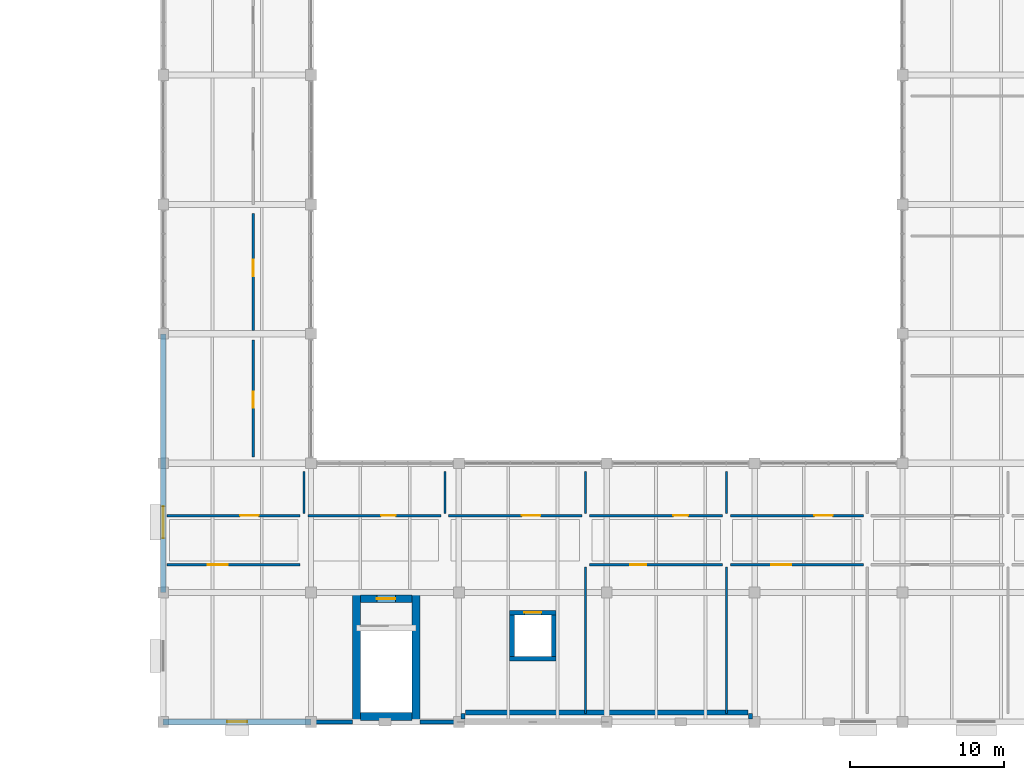
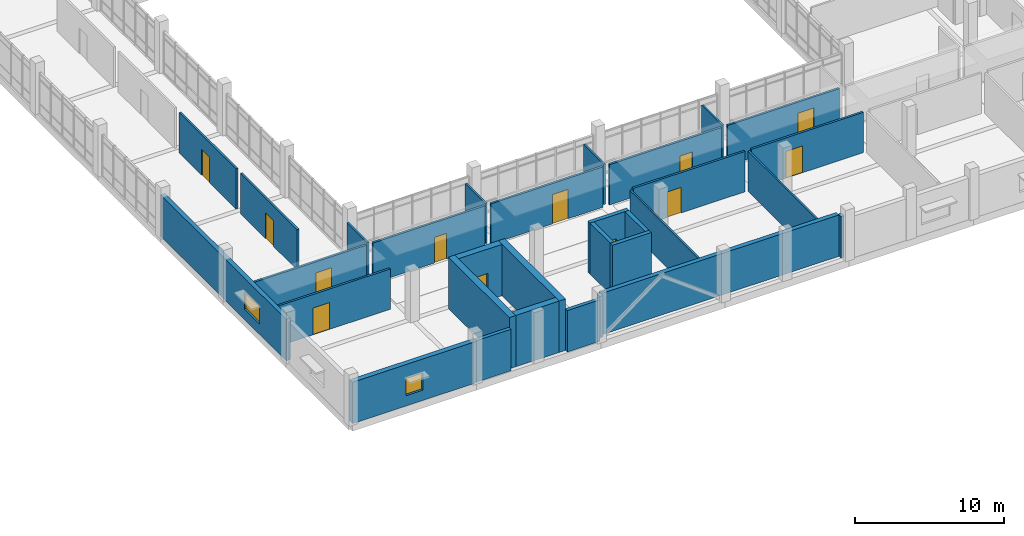
# One storey, part 40 of 57: 31 walls, 12 doors, 2 windows, 14 openings.
"""IFC4 building model written with IfcOpenShell, lengths in metres."""

import ifcopenshell
import ifcopenshell.guid

model = None  # the IFC model being written
_history = None  # IfcOwnerHistory: only IFC2X3 demands one
_inside = {}  # id of a spatial element -> (the spatial element, [elements in it])
_under = {}  # id of a project, library or spatial element -> (it, [spatial elements below it])
_declared = {}  # id of a project -> (the project, [libraries it declares])
_typed = {}  # id of a type object -> (the type object, [elements of that type])
_made_of = {}  # id of a material, layer set ... -> (it, [elements and type objects made of it])


def new_model(schema):
    """Start an empty IFC model of exactly this schema.

    Asked for "IFC4X3", IfcOpenShell would pick the latest addendum, in which some entities
    have other attributes; the version numbers below select the first issue.
    IFC2X3 requires an IfcOwnerHistory on every rooted entity: one is made here for all.
    """
    global model, _history
    if schema == "IFC4X3":
        model = ifcopenshell.file(schema_version=(4, 3, 0, 0))
    else:
        model = ifcopenshell.file(schema=schema)
    _inside.clear()
    _under.clear()
    _declared.clear()
    _typed.clear()
    _made_of.clear()
    _history = None
    if model.schema == "IFC2X3":
        org = make("IfcOrganization", Name="unknown")
        user = make(
            "IfcPersonAndOrganization",
            ThePerson=make("IfcPerson", FamilyName="unknown"),
            TheOrganization=org,
        )
        app = make(
            "IfcApplication",
            ApplicationDeveloper=org,
            Version="unknown",
            ApplicationFullName="unknown",
            ApplicationIdentifier="unknown",
        )
        _history = make(
            "IfcOwnerHistory",
            OwningUser=user,
            OwningApplication=app,
            ChangeAction="ADDED",
            CreationDate=0,
        )
    return model


def make(cls, **values):
    """One entity of the class cls with the attributes given. An attribute that is None is left unset."""
    return model.create_entity(
        cls, **{name: value for name, value in values.items() if value is not None}
    )


def rooted(cls, **values):
    """An entity with a GlobalId (a new one), such as an element, a storey or a relation."""
    return make(cls, GlobalId=ifcopenshell.guid.new(), OwnerHistory=_history, **values)


def si_unit(unit_type, name, prefix=None):
    """IfcSIUnit, for example si_unit("LENGTHUNIT", "METRE", prefix="MILLI")."""
    return make("IfcSIUnit", UnitType=unit_type, Prefix=prefix, Name=name)


def assignment(units):
    """IfcUnitAssignment: the units of a project."""
    return None if units is None else make("IfcUnitAssignment", Units=units)


def point(xyz):
    """IfcCartesianPoint."""
    return None if xyz is None else make("IfcCartesianPoint", Coordinates=xyz)


def direction(xyz):
    """IfcDirection."""
    return None if xyz is None else make("IfcDirection", DirectionRatios=xyz)


def frame(location, z_axis=None, x_axis=None):
    """IfcAxis2Placement3D, a coordinate frame: its origin and axes. An axis left out is left unset."""
    return make(
        "IfcAxis2Placement3D",
        Location=point(location),
        Axis=direction(z_axis),
        RefDirection=direction(x_axis),
    )


def frame_2d(location, x_axis=None):
    """IfcAxis2Placement2D, a coordinate frame in the plane: its origin and x axis."""
    return make(
        "IfcAxis2Placement2D", Location=point(location), RefDirection=direction(x_axis)
    )


def origin():
    """The frame at (0, 0, 0) with its axes left unset."""
    return frame((0.0, 0.0, 0.0))


def place(relative_to, where):
    """IfcLocalPlacement: puts the frame where relative to a parent placement (None: the world)."""
    return make(
        "IfcLocalPlacement", PlacementRelTo=relative_to, RelativePlacement=where
    )


def context(
    kind, dimensions, precision=None, world=None, true_north=None, identifier=None
):
    """IfcGeometricRepresentationContext, for example the 3D "Model" context."""
    return make(
        "IfcGeometricRepresentationContext",
        ContextIdentifier=identifier,
        ContextType=kind,
        CoordinateSpaceDimension=dimensions,
        Precision=precision,
        WorldCoordinateSystem=world,
        TrueNorth=true_north,
    )


def subcontext(parent, identifier, kind, view, scale=None):
    """IfcGeometricRepresentationSubContext, for example "Body" below "Model"."""
    return make(
        "IfcGeometricRepresentationSubContext",
        ContextIdentifier=identifier,
        ContextType=kind,
        ParentContext=parent,
        TargetScale=scale,
        TargetView=view,
    )


def project(units=None, contexts=None):
    """IfcProject with its units and contexts."""
    return rooted(
        "IfcProject",
        Name="project",
        RepresentationContexts=contexts,
        UnitsInContext=assignment(units),
    )


def spatial(cls, under=None, at=None, **own):
    """A site, building, storey or space (cls), placed at a placement, below another one or the project."""
    s = rooted(cls, ObjectPlacement=at, **own)
    if under is not None:
        _under.setdefault(under.id(), (under, []))[1].append(s)
    return s


def profile(cls, at=None, kind="AREA", **sizes):
    """A parametric profile (cls). Its sizes go by their IFC names, for example OverallWidth=200.0."""
    return make(cls, ProfileType=kind, Position=at, **sizes)


def rectangle(**sizes):
    """IfcRectangleProfileDef."""
    return profile("IfcRectangleProfileDef", **sizes)


def extrude(swept, where, along, depth):
    """IfcExtrudedAreaSolid: the profile swept, set in the frame where, extruded along a direction by depth."""
    return make(
        "IfcExtrudedAreaSolid",
        SweptArea=swept,
        Position=where,
        ExtrudedDirection=direction(along),
        Depth=depth,
    )


def shape(context_of_items, identifier, shape_type, items):
    """IfcShapeRepresentation: the items that make up one representation, for example the "Body"."""
    return make(
        "IfcShapeRepresentation",
        ContextOfItems=context_of_items,
        RepresentationIdentifier=identifier,
        RepresentationType=shape_type,
        Items=items,
    )


def material(Name=None, Category=None):
    """IfcMaterial."""
    return make("IfcMaterial", Name=Name, Category=Category)


def layer(
    of_material, thickness, ventilated=None, Name=None, Category=None, Priority=None
):
    """IfcMaterialLayer: one layer of a wall or slab, of a material (None: an air gap)."""
    return make(
        "IfcMaterialLayer",
        Material=of_material,
        LayerThickness=thickness,
        IsVentilated=ventilated,
        Name=Name,
        Category=Category,
        Priority=Priority,
    )


def layer_set(layers, Name=None):
    """IfcMaterialLayerSet."""
    return make("IfcMaterialLayerSet", MaterialLayers=layers, LayerSetName=Name)


def made_of(thing, what):
    """Note that an element or type object is made of a material, layer set ...; save() writes the relation."""
    if what is not None:
        _made_of.setdefault(what.id(), (what, []))[1].append(thing)
    return thing


def type_object(cls, material=None, **own):
    """A type object (cls), such as IfcWallType, which elements share."""
    return made_of(rooted(cls, **own), material)


def element(
    cls,
    number,
    at=None,
    inside=None,
    cuts=None,
    type_object=None,
    material=None,
    context=None,
    identifier="Body",
    shape_type=None,
    held_by="IfcProductDefinitionShape",
    body=None,
    shapes=None,
    **own,
):
    """One element of the class cls, such as IfcWall. Its Tag is "e" and its number.

    at: its placement. inside: the storey or other place that contains it. cuts: it is an
    opening in that element (IfcRelVoidsElement). A single representation is given by context,
    identifier, shape_type and body (its items); several are given by shapes. held_by: the class
    of the entity that holds the representations. save() writes the other relations.
    """
    e = rooted(cls, Tag="e%d" % number, ObjectPlacement=at, **own)
    if body is not None:
        shapes = [shape(context, identifier, shape_type, body)]
    if shapes is not None:
        e.Representation = make(held_by, Representations=shapes)
    if inside is not None:
        _inside.setdefault(inside.id(), (inside, []))[1].append(e)
    if cuts is not None:
        rooted(
            "IfcRelVoidsElement", RelatingBuildingElement=cuts, RelatedOpeningElement=e
        )
    if type_object is not None:
        _typed.setdefault(type_object.id(), (type_object, []))[1].append(e)
    return made_of(e, material)


def fill(opening, filler):
    """IfcRelFillsElement: the door or window that sits in an opening."""
    return rooted(
        "IfcRelFillsElement",
        RelatingOpeningElement=opening,
        RelatedBuildingElement=filler,
    )


def aggregate(whole, parts):
    """IfcRelAggregates: a whole, such as a stair, and the parts it consists of."""
    return rooted("IfcRelAggregates", RelatingObject=whole, RelatedObjects=parts)


def save(model, path):
    """Write the relations noted so far, then the file.

    IfcRelAggregates (storeys below a building ...), IfcRelContainedInSpatialStructure (elements
    in a storey), IfcRelDefinesByType, IfcRelAssociatesMaterial and IfcRelDeclares: one each for
    every whole, place, type object, material and project.
    """
    for whole, parts in _under.values():
        aggregate(whole, parts)
    for where, things in _inside.values():
        rooted(
            "IfcRelContainedInSpatialStructure",
            RelatedElements=things,
            RelatingStructure=where,
        )
    for kind, things in _typed.values():
        rooted("IfcRelDefinesByType", RelatedObjects=things, RelatingType=kind)
    for what, things in _made_of.values():
        rooted("IfcRelAssociatesMaterial", RelatedObjects=things, RelatingMaterial=what)
    for by, libraries in _declared.values():
        rooted("IfcRelDeclares", RelatingContext=by, RelatedDefinitions=libraries)
    model.write(path)


model = new_model("IFC4")

# Units and contexts
model_context = context("Model", 3, precision=1e-05, world=origin(), true_north=direction((0.0, 1.0)))
body_context = subcontext(model_context, "Body", "Model", "MODEL_VIEW")
ifc_project = project(units=[si_unit("LENGTHUNIT", "METRE"), si_unit("AREAUNIT", "SQUARE_METRE"), si_unit("VOLUMEUNIT", "CUBIC_METRE"), si_unit("PLANEANGLEUNIT", "RADIAN"), si_unit("MASSUNIT", "GRAM", prefix="KILO")], contexts=[model_context])

# Site, building, storey
site_placement = place(None, origin())
site = spatial("IfcSite", under=ifc_project, at=site_placement, CompositionType="ELEMENT")
building_placement = place(site_placement, origin())
building = spatial("IfcBuilding", under=site, at=building_placement, Name="Oolite Switchyard Hospital", CompositionType="ELEMENT")
storey_placement = place(building_placement, frame((0.0, 0.0, 17.800048828125)))
storey = spatial("IfcBuildingStorey", under=building, at=storey_placement, Name="L04", CompositionType="ELEMENT", Elevation=17.800048828125)

# Walls
ifc_material_1 = material(Name="Precast oolitic limestone architectural concrete C40/50", Category="masonry")
ifc_layer_1 = layer(ifc_material_1, 0.260009765625)
ifc_layer_set_1 = layer_set([ifc_layer_1], Name="WAL-EXT-260")
wall_type_1 = type_object("IfcWallType", Name="WAL-EXT-260", PredefinedType="SOLIDWALL", material=ifc_layer_set_1)
wall_1_placement = place(storey_placement, frame((153.60009765625, 8.39990234375, 0.0), z_axis=(0.0, 0.0, 1.0), x_axis=(-1.0, 0.0, 0.0)))
element("IfcWall", 1, at=wall_1_placement, inside=storey, type_object=wall_type_1, Name="L04 Exterior Spandrel Wall 248", PredefinedType="SOLIDWALL", context=body_context, shape_type="SweptSolid", body=[
    extrude(rectangle(XDim=2.5400390625, YDim=0.260009765625, at=frame_2d((1.27001953125, 0.0))), origin(), (0.0, 0.0, 1.0), 3.389892578125),
])
for number, where, z_axis, x_axis, name in (
    (2, (172.52001953125, 8.60009765625, 0.0), (0.0, 0.0, 1.0), (0.0, 1.0, 0.0), "L04 Brace Alcove Cheek Wall 250"),
    (3, (153.8798828125, 8.60009765625, 0.0), (0.0, 0.0, 1.0), (0.0, 1.0, 0.0), "L04 Brace Alcove Cheek Wall 251"),
):
    element("IfcWall", number, at=place(storey_placement, frame(where, z_axis=z_axis, x_axis=x_axis)), inside=storey, type_object=wall_type_1, Name=name, PredefinedType="SOLIDWALL", context=body_context, shape_type="SweptSolid", body=[
        extrude(rectangle(XDim=0.35986328125, YDim=0.260009765625, at=frame_2d((0.179931640625, 0.0))), origin(), (0.0, 0.0, 1.0), 3.389892578125),
    ])
ifc_layer_2 = layer(ifc_material_1, 0.280029296875)
ifc_layer_set_2 = layer_set([ifc_layer_2], Name="WAL-EXT-280")
wall_type_2 = type_object("IfcWallType", Name="WAL-EXT-280", PredefinedType="SOLIDWALL", material=ifc_layer_set_2)
wall_2_placement = place(storey_placement, frame((146.699951171875, 8.39990234375, 0.0), z_axis=(0.0, 0.0, 1.0), x_axis=(-1.0, 0.0, 0.0)))
element("IfcWall", 4, at=wall_2_placement, inside=storey, type_object=wall_type_2, Name="L04 Exterior Spandrel Wall 249", PredefinedType="SOLIDWALL", context=body_context, shape_type="SweptSolid", body=[
    extrude(rectangle(XDim=2.699951171875, YDim=0.280029296875, at=frame_2d((1.35009765625, 0.0))), origin(), (0.0, 0.0, 1.0), 3.389892578125),
])
ifc_layer_3 = layer(ifc_material_1, 0.340087890625)
ifc_layer_set_3 = layer_set([ifc_layer_3], Name="WAL-EXT-340")
wall_type_3 = type_object("IfcWallType", Name="WAL-EXT-340", PredefinedType="SOLIDWALL", material=ifc_layer_set_3)
wall_3_placement = place(storey_placement, frame((172.3798828125, 9.02001953125, 0.0), z_axis=(0.0, 0.0, 1.0), x_axis=(-1.0, 0.0, 0.0)))
element("IfcWall", 5, at=wall_3_placement, inside=storey, type_object=wall_type_3, Name="L04 Exterior Spandrel Wall 252", PredefinedType="SOLIDWALL", context=body_context, shape_type="SweptSolid", body=[
    extrude(rectangle(XDim=18.35986328125, YDim=0.340087890625, at=frame_2d((9.179931640625, 0.0))), origin(), (0.0, 0.0, 1.0), 3.389892578125),
])

# Wall, opening, window
wall_4_placement = place(storey_placement, frame((134.39990234375, 16.800048828125, 0.0), z_axis=(0.0, 0.0, 1.0), x_axis=(0.0, 1.0, 0.0)))
wall_4 = element("IfcWall", 6, at=wall_4_placement, inside=storey, type_object=wall_type_3, Name="L04 Exterior Spandrel Wall 294", PredefinedType="SOLIDWALL", context=body_context, shape_type="SweptSolid", body=[
    extrude(rectangle(XDim=16.800048828125, YDim=0.340087890625, at=frame_2d((8.39990234375, 0.0))), origin(), (0.0, 0.0, 1.0), 3.389892578125),
])
opening_1_placement = place(wall_4_placement, frame((3.5400390625, 0.0, 0.85009765625)))
opening_1 = element("IfcOpeningElement", 7, at=opening_1_placement, cuts=wall_4, Name="Opening WN-0174", PredefinedType="OPENING", context=body_context, shape_type="SweptSolid", body=[
    extrude(rectangle(XDim=2.050048828125, YDim=1.39990234375, at=frame_2d((1.02490234375, 0.699951171875))), frame((0.0, 0.18017578125, 0.0), z_axis=(0.0, -1.0, 0.0), x_axis=(1.0, 0.0, 0.0)), (0.0, 0.0, 1.0), 0.360107421875),
])
ifc_material_2 = material(Name="Thermally broken aluminum frame with laminated impact glazing", Category="aluminium")
window_type_1 = type_object("IfcWindowType", Name="WIN-IMP-205X140", PartitioningType="SINGLE_PANEL", PredefinedType="WINDOW", material=ifc_material_2)
window_1_placement = place(opening_1_placement, origin())
window_1 = element("IfcWindow", 8, at=window_1_placement, inside=storey, type_object=window_type_1, Name="L04 Hurricane Impact Window WN-0174", OverallHeight=1.39990234375, OverallWidth=2.050048828125, PartitioningType="SINGLE_PANEL", PredefinedType="WINDOW", context=body_context, shape_type="SweptSolid", body=[
    extrude(rectangle(XDim=2.050048828125, YDim=1.39990234375, at=frame_2d((1.02490234375, 0.699951171875))), frame((0.0, 0.030029296875, 0.0), z_axis=(0.0, -1.0, 0.0), x_axis=(1.0, 0.0, 0.0)), (0.0, 0.0, 1.0), 0.06005859375),
])
fill(opening_1, window_1)

ifc_layer_4 = layer(ifc_material_1, 0.3798828125)
ifc_layer_set_4 = layer_set([ifc_layer_4], Name="WAL-EXT-380")
wall_type_4 = type_object("IfcWallType", Name="WAL-EXT-380", PredefinedType="SOLIDWALL", material=ifc_layer_set_4)
wall_5_placement = place(storey_placement, frame((144.0, 8.39990234375, 0.0), z_axis=(0.0, 0.0, 1.0), x_axis=(-1.0, 0.0, 0.0)))
wall_5 = element("IfcWall", 9, at=wall_5_placement, inside=storey, type_object=wall_type_4, Name="L04 Exterior Spandrel Wall 247", PredefinedType="SOLIDWALL", context=body_context, shape_type="SweptSolid", body=[
    extrude(rectangle(XDim=9.60009765625, YDim=0.3798828125, at=frame_2d((4.800048828125, 0.0))), origin(), (0.0, 0.0, 1.0), 3.389892578125),
])
opening_2_placement = place(wall_5_placement, frame((4.14990234375, 0.0, 0.85009765625)))
opening_2 = element("IfcOpeningElement", 10, at=opening_2_placement, cuts=wall_5, Name="Opening WN-0147", PredefinedType="OPENING", context=body_context, shape_type="SweptSolid", body=[
    extrude(rectangle(XDim=1.300048828125, YDim=1.39990234375, at=frame_2d((0.64990234375, 0.699951171875))), frame((0.0, 0.199951171875, 0.0), z_axis=(0.0, -1.0, 0.0), x_axis=(1.0, 0.0, 0.0)), (0.0, 0.0, 1.0), 0.39990234375),
])
window_type_2 = type_object("IfcWindowType", Name="WIN-IMP-130X140", PartitioningType="SINGLE_PANEL", PredefinedType="WINDOW", material=ifc_material_2)
window_2_placement = place(opening_2_placement, origin())
window_2 = element("IfcWindow", 11, at=window_2_placement, inside=storey, type_object=window_type_2, Name="L04 Hurricane Impact Window WN-0147", OverallHeight=1.39990234375, OverallWidth=1.300048828125, PartitioningType="SINGLE_PANEL", PredefinedType="WINDOW", context=body_context, shape_type="SweptSolid", body=[
    extrude(rectangle(XDim=1.300048828125, YDim=1.39990234375, at=frame_2d((0.64990234375, 0.699951171875))), frame((0.0, 0.030029296875, 0.0), z_axis=(0.0, -1.0, 0.0), x_axis=(1.0, 0.0, 0.0)), (0.0, 0.0, 1.0), 0.06005859375),
])
fill(opening_2, window_2)

# Walls
ifc_material_3 = material(Name="Moisture-resistant gypsum board on steel studs", Category="steel")
ifc_layer_5 = layer(ifc_material_3, 0.135009765625)
ifc_layer_set_5 = layer_set([ifc_layer_5], Name="WAL-PART-135")
wall_type_5 = type_object("IfcWallType", Name="WAL-PART-135", PredefinedType="PARTITIONING", material=ifc_layer_set_5)
for number, where, z_axis, x_axis, name in (
    (12, (143.54296875, 21.949951171875, 0.0), (0.0, 0.0, 1.0), (0.0, 1.0, 0.0), "L04 Interior Partition 788"),
    (13, (152.68603515625, 21.949951171875, 0.0), (0.0, 0.0, 1.0), (0.0, 1.0, 0.0), "L04 Interior Partition 790"),
):
    element("IfcWall", number, at=place(storey_placement, frame(where, z_axis=z_axis, x_axis=x_axis)), inside=storey, type_object=wall_type_5, Name=name, PredefinedType="PARTITIONING", context=body_context, shape_type="SweptSolid", body=[
        extrude(rectangle(XDim=2.699951171875, YDim=0.135009765625, at=frame_2d((1.35009765625, 0.0))), origin(), (0.0, 0.0, 1.0), 3.300048828125),
    ])
wall_6_placement = place(storey_placement, frame((161.8291015625, 8.949951171875, 0.0), z_axis=(0.0, 0.0, 1.0), x_axis=(0.0, 1.0, 0.0)))
element("IfcWall", 14, at=wall_6_placement, inside=storey, type_object=wall_type_5, Name="L04 Interior Partition 792", PredefinedType="PARTITIONING", context=body_context, shape_type="SweptSolid", body=[
    extrude(rectangle(XDim=9.5, YDim=0.135009765625, at=frame_2d((4.75, 0.0))), origin(), (0.0, 0.0, 1.0), 3.300048828125),
])
wall_7_placement = place(storey_placement, frame((161.8291015625, 21.949951171875, 0.0), z_axis=(0.0, 0.0, 1.0), x_axis=(0.0, 1.0, 0.0)))
element("IfcWall", 15, at=wall_7_placement, inside=storey, type_object=wall_type_5, Name="L04 Interior Partition 794", PredefinedType="PARTITIONING", context=body_context, shape_type="SweptSolid", body=[
    extrude(rectangle(XDim=2.699951171875, YDim=0.135009765625, at=frame_2d((1.35009765625, 0.0))), origin(), (0.0, 0.0, 1.0), 3.300048828125),
])
wall_8_placement = place(storey_placement, frame((170.971923828125, 8.949951171875, 0.0), z_axis=(0.0, 0.0, 1.0), x_axis=(0.0, 1.0, 0.0)))
element("IfcWall", 16, at=wall_8_placement, inside=storey, type_object=wall_type_5, Name="L04 Interior Partition 796", PredefinedType="PARTITIONING", context=body_context, shape_type="SweptSolid", body=[
    extrude(rectangle(XDim=9.5, YDim=0.135009765625, at=frame_2d((4.75, 0.0))), origin(), (0.0, 0.0, 1.0), 3.300048828125),
])
wall_9_placement = place(storey_placement, frame((170.971923828125, 21.949951171875, 0.0), z_axis=(0.0, 0.0, 1.0), x_axis=(0.0, 1.0, 0.0)))
element("IfcWall", 17, at=wall_9_placement, inside=storey, type_object=wall_type_5, Name="L04 Interior Partition 798", PredefinedType="PARTITIONING", context=body_context, shape_type="SweptSolid", body=[
    extrude(rectangle(XDim=2.699951171875, YDim=0.135009765625, at=frame_2d((1.35009765625, 0.0))), origin(), (0.0, 0.0, 1.0), 3.300048828125),
])

# Wall, opening, door
ifc_layer_6 = layer(ifc_material_3, 0.14990234375)
ifc_layer_set_6 = layer_set([ifc_layer_6], Name="WAL-PART-150")
wall_type_6 = type_object("IfcWallType", Name="WAL-PART-150", PredefinedType="PARTITIONING", material=ifc_layer_set_6)
wall_10_placement = place(storey_placement, frame((140.25, 25.60009765625, 0.0), z_axis=(0.0, 0.0, 1.0), x_axis=(0.0, 1.0, 0.0)))
wall_10 = element("IfcWall", 18, at=wall_10_placement, inside=storey, type_object=wall_type_6, Name="L04 Interior Partition 985", PredefinedType="PARTITIONING", context=body_context, shape_type="SweptSolid", body=[
    extrude(rectangle(XDim=7.599853515625, YDim=0.14990234375, at=frame_2d((3.7998046875, 0.0))), origin(), (0.0, 0.0, 1.0), 3.300048828125),
])
opening_3_placement = place(wall_10_placement, frame((3.199951171875, 0.0, 0.0)))
opening_3 = element("IfcOpeningElement", 19, at=opening_3_placement, cuts=wall_10, Name="Opening D-0553", PredefinedType="OPENING", context=body_context, shape_type="SweptSolid", body=[
    extrude(rectangle(XDim=1.050048828125, YDim=2.10009765625, at=frame_2d((0.52490234375, 1.050048828125))), frame((0.0, 0.0849609375, 0.0), z_axis=(0.0, -1.0, 0.0), x_axis=(1.0, 0.0, 0.0)), (0.0, 0.0, 1.0), 0.169921875),
])
ifc_material_4 = material(Name="Solid-core antimicrobial hardwood leaf in steel frame", Category="steel")
door_type_1 = type_object("IfcDoorType", Name="DR-EXAM-105X210", OperationType="NOTDEFINED", PredefinedType="DOOR", material=ifc_material_4)
door_1_placement = place(opening_3_placement, origin())
door_1 = element("IfcDoor", 20, at=door_1_placement, inside=storey, type_object=door_type_1, Name="L04 Interior Door D-0553", OperationType="SINGLE_SWING_LEFT", OverallHeight=2.10009765625, OverallWidth=1.050048828125, PredefinedType="DOOR", context=body_context, shape_type="SweptSolid", body=[
    extrude(rectangle(XDim=1.050048828125, YDim=2.10009765625, at=frame_2d((0.52490234375, 1.050048828125))), frame((0.0, 0.02490234375, 0.0), z_axis=(0.0, -1.0, 0.0), x_axis=(1.0, 0.0, 0.0)), (0.0, 0.0, 1.0), 0.050048828125),
])
fill(opening_3, door_1)

wall_11_placement = place(storey_placement, frame((140.25, 33.800048828125, 0.0), z_axis=(0.0, 0.0, 1.0), x_axis=(0.0, 1.0, 0.0)))
wall_11 = element("IfcWall", 21, at=wall_11_placement, inside=storey, type_object=wall_type_6, Name="L04 Interior Partition 986", PredefinedType="PARTITIONING", context=body_context, shape_type="SweptSolid", body=[
    extrude(rectangle(XDim=7.599853515625, YDim=0.14990234375, at=frame_2d((3.7998046875, 0.0))), origin(), (0.0, 0.0, 1.0), 3.300048828125),
])
opening_4_placement = place(wall_11_placement, frame((3.550048828125, 0.0, 0.0)))
opening_4 = element("IfcOpeningElement", 22, at=opening_4_placement, cuts=wall_11, Name="Opening D-0554", PredefinedType="OPENING", context=body_context, shape_type="SweptSolid", body=[
    extrude(rectangle(XDim=1.050048828125, YDim=2.10009765625, at=frame_2d((0.52490234375, 1.050048828125))), frame((0.0, 0.0849609375, 0.0), z_axis=(0.0, -1.0, 0.0), x_axis=(1.0, 0.0, 0.0)), (0.0, 0.0, 1.0), 0.169921875),
])
door_2_placement = place(opening_4_placement, origin())
door_2 = element("IfcDoor", 23, at=door_2_placement, inside=storey, type_object=door_type_1, Name="L04 Interior Door D-0554", OperationType="SINGLE_SWING_RIGHT", OverallHeight=2.10009765625, OverallWidth=1.050048828125, PredefinedType="DOOR", context=body_context, shape_type="SweptSolid", body=[
    extrude(rectangle(XDim=1.050048828125, YDim=2.10009765625, at=frame_2d((0.52490234375, 1.050048828125))), frame((0.0, 0.02490234375, 0.0), z_axis=(0.0, -1.0, 0.0), x_axis=(1.0, 0.0, 0.0)), (0.0, 0.0, 1.0), 0.050048828125),
])
fill(opening_4, door_2)

ifc_layer_7 = layer(ifc_material_3, 0.1650390625)
ifc_layer_set_7 = layer_set([ifc_layer_7], Name="WAL-PART-165")
wall_type_7 = type_object("IfcWallType", Name="WAL-PART-165", PredefinedType="PARTITIONING", material=ifc_layer_set_7)
wall_12_placement = place(storey_placement, frame((134.64990234375, 18.60009765625, 0.0), z_axis=(0.0, 0.0, 1.0), x_axis=(1.0, 0.0, 0.0)))
wall_12 = element("IfcWall", 24, at=wall_12_placement, inside=storey, type_object=wall_type_7, Name="L04 Interior Partition 785", PredefinedType="PARTITIONING", context=body_context, shape_type="SweptSolid", body=[
    extrude(rectangle(XDim=8.64306640625, YDim=0.1650390625, at=frame_2d((4.321533203125, 0.0))), origin(), (0.0, 0.0, 1.0), 3.300048828125),
])
opening_5_placement = place(wall_12_placement, frame((2.64990234375, 0.0, 0.0)))
opening_5 = element("IfcOpeningElement", 25, at=opening_5_placement, cuts=wall_12, Name="Opening D-0436", PredefinedType="OPENING", context=body_context, shape_type="SweptSolid", body=[
    extrude(rectangle(XDim=1.300048828125, YDim=2.199951171875, at=frame_2d((0.64990234375, 1.10009765625))), frame((0.0, 0.092529296875, 0.0), z_axis=(0.0, -1.0, 0.0), x_axis=(1.0, 0.0, 0.0)), (0.0, 0.0, 1.0), 0.18505859375),
])
door_type_2 = type_object("IfcDoorType", Name="DR-WARD-130X220", OperationType="NOTDEFINED", PredefinedType="DOOR", material=ifc_material_4)
door_3_placement = place(opening_5_placement, origin())
door_3 = element("IfcDoor", 26, at=door_3_placement, inside=storey, type_object=door_type_2, Name="L04 Interior Door D-0436", OperationType="SINGLE_SWING_LEFT", OverallHeight=2.199951171875, OverallWidth=1.300048828125, PredefinedType="DOOR", context=body_context, shape_type="SweptSolid", body=[
    extrude(rectangle(XDim=1.300048828125, YDim=2.199951171875, at=frame_2d((0.64990234375, 1.10009765625))), frame((0.0, 0.02490234375, 0.0), z_axis=(0.0, -1.0, 0.0), x_axis=(1.0, 0.0, 0.0)), (0.0, 0.0, 1.0), 0.050048828125),
])
fill(opening_5, door_3)

wall_13_placement = place(storey_placement, frame((134.64990234375, 21.800048828125, 0.0), z_axis=(0.0, 0.0, 1.0), x_axis=(1.0, 0.0, 0.0)))
wall_13 = element("IfcWall", 27, at=wall_13_placement, inside=storey, type_object=wall_type_7, Name="L04 Interior Partition 786", PredefinedType="PARTITIONING", context=body_context, shape_type="SweptSolid", body=[
    extrude(rectangle(XDim=8.64306640625, YDim=0.1650390625, at=frame_2d((4.321533203125, 0.0))), origin(), (0.0, 0.0, 1.0), 3.300048828125),
])
opening_6_placement = place(wall_13_placement, frame((4.75, 0.0, 0.0)))
opening_6 = element("IfcOpeningElement", 28, at=opening_6_placement, cuts=wall_13, Name="Opening D-0437", PredefinedType="OPENING", context=body_context, shape_type="SweptSolid", body=[
    extrude(rectangle(XDim=1.199951171875, YDim=2.39990234375, at=frame_2d((0.60009765625, 1.199951171875))), frame((0.0, 0.092529296875, 0.0), z_axis=(0.0, -1.0, 0.0), x_axis=(1.0, 0.0, 0.0)), (0.0, 0.0, 1.0), 0.18505859375),
])
ifc_material_5 = material(Name="Hollow metal fire-rated steel door assembly", Category="steel")
door_type_3 = type_object("IfcDoorType", Name="DR-PHARM-120X240", OperationType="NOTDEFINED", PredefinedType="DOOR", material=ifc_material_5)
door_4_placement = place(opening_6_placement, origin())
door_4 = element("IfcDoor", 29, at=door_4_placement, inside=storey, type_object=door_type_3, Name="L04 Interior Door D-0437", OperationType="SINGLE_SWING_RIGHT", OverallHeight=2.39990234375, OverallWidth=1.199951171875, PredefinedType="DOOR", context=body_context, shape_type="SweptSolid", body=[
    extrude(rectangle(XDim=1.199951171875, YDim=2.39990234375, at=frame_2d((0.60009765625, 1.199951171875))), frame((0.0, 0.02490234375, 0.0), z_axis=(0.0, -1.0, 0.0), x_axis=(1.0, 0.0, 0.0)), (0.0, 0.0, 1.0), 0.050048828125),
])
fill(opening_6, door_4)

wall_14_placement = place(storey_placement, frame((143.79296875, 21.800048828125, 0.0), z_axis=(0.0, 0.0, 1.0), x_axis=(1.0, 0.0, 0.0)))
wall_14 = element("IfcWall", 30, at=wall_14_placement, inside=storey, type_object=wall_type_7, Name="L04 Interior Partition 787", PredefinedType="PARTITIONING", context=body_context, shape_type="SweptSolid", body=[
    extrude(rectangle(XDim=8.64306640625, YDim=0.1650390625, at=frame_2d((4.321533203125, 0.0))), origin(), (0.0, 0.0, 1.0), 3.300048828125),
])
opening_7_placement = place(wall_14_placement, frame((4.75, 0.0, 0.0)))
opening_7 = element("IfcOpeningElement", 31, at=opening_7_placement, cuts=wall_14, Name="Opening D-0438", PredefinedType="OPENING", context=body_context, shape_type="SweptSolid", body=[
    extrude(rectangle(XDim=0.949951171875, YDim=2.10009765625, at=frame_2d((0.47509765625, 1.050048828125))), frame((0.0, 0.092529296875, 0.0), z_axis=(0.0, -1.0, 0.0), x_axis=(1.0, 0.0, 0.0)), (0.0, 0.0, 1.0), 0.18505859375),
])
door_type_4 = type_object("IfcDoorType", Name="DR-BATH-095X210", OperationType="NOTDEFINED", PredefinedType="DOOR", material=ifc_material_4)
door_5_placement = place(opening_7_placement, origin())
door_5 = element("IfcDoor", 32, at=door_5_placement, inside=storey, type_object=door_type_4, Name="L04 Interior Door D-0438", OperationType="SINGLE_SWING_LEFT", OverallHeight=2.10009765625, OverallWidth=0.949951171875, PredefinedType="DOOR", context=body_context, shape_type="SweptSolid", body=[
    extrude(rectangle(XDim=0.949951171875, YDim=2.10009765625, at=frame_2d((0.47509765625, 1.050048828125))), frame((0.0, 0.02490234375, 0.0), z_axis=(0.0, -1.0, 0.0), x_axis=(1.0, 0.0, 0.0)), (0.0, 0.0, 1.0), 0.050048828125),
])
fill(opening_7, door_5)

wall_15_placement = place(storey_placement, frame((152.93603515625, 21.800048828125, 0.0), z_axis=(0.0, 0.0, 1.0), x_axis=(1.0, 0.0, 0.0)))
wall_15 = element("IfcWall", 33, at=wall_15_placement, inside=storey, type_object=wall_type_7, Name="L04 Interior Partition 789", PredefinedType="PARTITIONING", context=body_context, shape_type="SweptSolid", body=[
    extrude(rectangle(XDim=8.64306640625, YDim=0.1650390625, at=frame_2d((4.321533203125, 0.0))), origin(), (0.0, 0.0, 1.0), 3.300048828125),
])
opening_8_placement = place(wall_15_placement, frame((4.75, 0.0, 0.0)))
opening_8 = element("IfcOpeningElement", 34, at=opening_8_placement, cuts=wall_15, Name="Opening D-0439", PredefinedType="OPENING", context=body_context, shape_type="SweptSolid", body=[
    extrude(rectangle(XDim=1.199951171875, YDim=2.39990234375, at=frame_2d((0.60009765625, 1.199951171875))), frame((0.0, 0.092529296875, 0.0), z_axis=(0.0, -1.0, 0.0), x_axis=(1.0, 0.0, 0.0)), (0.0, 0.0, 1.0), 0.18505859375),
])
door_6_placement = place(opening_8_placement, origin())
door_6 = element("IfcDoor", 35, at=door_6_placement, inside=storey, type_object=door_type_3, Name="L04 Interior Door D-0439", OperationType="SINGLE_SWING_RIGHT", OverallHeight=2.39990234375, OverallWidth=1.199951171875, PredefinedType="DOOR", context=body_context, shape_type="SweptSolid", body=[
    extrude(rectangle(XDim=1.199951171875, YDim=2.39990234375, at=frame_2d((0.60009765625, 1.199951171875))), frame((0.0, 0.02490234375, 0.0), z_axis=(0.0, -1.0, 0.0), x_axis=(1.0, 0.0, 0.0)), (0.0, 0.0, 1.0), 0.050048828125),
])
fill(opening_8, door_6)

wall_16_placement = place(storey_placement, frame((162.0791015625, 18.60009765625, 0.0), z_axis=(0.0, 0.0, 1.0), x_axis=(1.0, 0.0, 0.0)))
wall_16 = element("IfcWall", 36, at=wall_16_placement, inside=storey, type_object=wall_type_7, Name="L04 Interior Partition 791", PredefinedType="PARTITIONING", context=body_context, shape_type="SweptSolid", body=[
    extrude(rectangle(XDim=8.642822265625, YDim=0.1650390625, at=frame_2d((4.3212890625, 0.0))), origin(), (0.0, 0.0, 1.0), 3.300048828125),
])
opening_9_placement = place(wall_16_placement, frame((2.64990234375, 0.0, 0.0)))
opening_9 = element("IfcOpeningElement", 37, at=opening_9_placement, cuts=wall_16, Name="Opening D-0440", PredefinedType="OPENING", context=body_context, shape_type="SweptSolid", body=[
    extrude(rectangle(XDim=1.050048828125, YDim=2.10009765625, at=frame_2d((0.52490234375, 1.050048828125))), frame((0.0, 0.092529296875, 0.0), z_axis=(0.0, -1.0, 0.0), x_axis=(1.0, 0.0, 0.0)), (0.0, 0.0, 1.0), 0.18505859375),
])
door_7_placement = place(opening_9_placement, origin())
door_7 = element("IfcDoor", 38, at=door_7_placement, inside=storey, type_object=door_type_1, Name="L04 Interior Door D-0440", OperationType="SINGLE_SWING_RIGHT", OverallHeight=2.10009765625, OverallWidth=1.050048828125, PredefinedType="DOOR", context=body_context, shape_type="SweptSolid", body=[
    extrude(rectangle(XDim=1.050048828125, YDim=2.10009765625, at=frame_2d((0.52490234375, 1.050048828125))), frame((0.0, 0.02490234375, 0.0), z_axis=(0.0, -1.0, 0.0), x_axis=(1.0, 0.0, 0.0)), (0.0, 0.0, 1.0), 0.050048828125),
])
fill(opening_9, door_7)

wall_17_placement = place(storey_placement, frame((162.0791015625, 21.800048828125, 0.0), z_axis=(0.0, 0.0, 1.0), x_axis=(1.0, 0.0, 0.0)))
wall_17 = element("IfcWall", 39, at=wall_17_placement, inside=storey, type_object=wall_type_7, Name="L04 Interior Partition 793", PredefinedType="PARTITIONING", context=body_context, shape_type="SweptSolid", body=[
    extrude(rectangle(XDim=8.642822265625, YDim=0.1650390625, at=frame_2d((4.3212890625, 0.0))), origin(), (0.0, 0.0, 1.0), 3.300048828125),
])
opening_10_placement = place(wall_17_placement, frame((5.449951171875, 0.0, 0.0)))
opening_10 = element("IfcOpeningElement", 40, at=opening_10_placement, cuts=wall_17, Name="Opening D-0441", PredefinedType="OPENING", context=body_context, shape_type="SweptSolid", body=[
    extrude(rectangle(XDim=0.949951171875, YDim=2.10009765625, at=frame_2d((0.47509765625, 1.050048828125))), frame((0.0, 0.092529296875, 0.0), z_axis=(0.0, -1.0, 0.0), x_axis=(1.0, 0.0, 0.0)), (0.0, 0.0, 1.0), 0.18505859375),
])
door_8_placement = place(opening_10_placement, origin())
door_8 = element("IfcDoor", 41, at=door_8_placement, inside=storey, type_object=door_type_4, Name="L04 Interior Door D-0441", OperationType="SINGLE_SWING_LEFT", OverallHeight=2.10009765625, OverallWidth=0.949951171875, PredefinedType="DOOR", context=body_context, shape_type="SweptSolid", body=[
    extrude(rectangle(XDim=0.949951171875, YDim=2.10009765625, at=frame_2d((0.47509765625, 1.050048828125))), frame((0.0, 0.02490234375, 0.0), z_axis=(0.0, -1.0, 0.0), x_axis=(1.0, 0.0, 0.0)), (0.0, 0.0, 1.0), 0.050048828125),
])
fill(opening_10, door_8)

wall_18_placement = place(storey_placement, frame((171.221923828125, 18.60009765625, 0.0), z_axis=(0.0, 0.0, 1.0), x_axis=(1.0, 0.0, 0.0)))
wall_18 = element("IfcWall", 42, at=wall_18_placement, inside=storey, type_object=wall_type_7, Name="L04 Interior Partition 795", PredefinedType="PARTITIONING", context=body_context, shape_type="SweptSolid", body=[
    extrude(rectangle(XDim=8.64306640625, YDim=0.1650390625, at=frame_2d((4.321533203125, 0.0))), origin(), (0.0, 0.0, 1.0), 3.300048828125),
])
opening_11_placement = place(wall_18_placement, frame((2.64990234375, 0.0, 0.0)))
opening_11 = element("IfcOpeningElement", 43, at=opening_11_placement, cuts=wall_18, Name="Opening D-0442", PredefinedType="OPENING", context=body_context, shape_type="SweptSolid", body=[
    extrude(rectangle(XDim=1.300048828125, YDim=2.199951171875, at=frame_2d((0.64990234375, 1.10009765625))), frame((0.0, 0.092529296875, 0.0), z_axis=(0.0, -1.0, 0.0), x_axis=(1.0, 0.0, 0.0)), (0.0, 0.0, 1.0), 0.18505859375),
])
door_9_placement = place(opening_11_placement, origin())
door_9 = element("IfcDoor", 44, at=door_9_placement, inside=storey, type_object=door_type_2, Name="L04 Interior Door D-0442", OperationType="SINGLE_SWING_LEFT", OverallHeight=2.199951171875, OverallWidth=1.300048828125, PredefinedType="DOOR", context=body_context, shape_type="SweptSolid", body=[
    extrude(rectangle(XDim=1.300048828125, YDim=2.199951171875, at=frame_2d((0.64990234375, 1.10009765625))), frame((0.0, 0.02490234375, 0.0), z_axis=(0.0, -1.0, 0.0), x_axis=(1.0, 0.0, 0.0)), (0.0, 0.0, 1.0), 0.050048828125),
])
fill(opening_11, door_9)

wall_19_placement = place(storey_placement, frame((171.221923828125, 21.800048828125, 0.0), z_axis=(0.0, 0.0, 1.0), x_axis=(1.0, 0.0, 0.0)))
wall_19 = element("IfcWall", 45, at=wall_19_placement, inside=storey, type_object=wall_type_7, Name="L04 Interior Partition 797", PredefinedType="PARTITIONING", context=body_context, shape_type="SweptSolid", body=[
    extrude(rectangle(XDim=8.64306640625, YDim=0.1650390625, at=frame_2d((4.321533203125, 0.0))), origin(), (0.0, 0.0, 1.0), 3.300048828125),
])
opening_12_placement = place(wall_19_placement, frame((5.449951171875, 0.0, 0.0)))
opening_12 = element("IfcOpeningElement", 46, at=opening_12_placement, cuts=wall_19, Name="Opening D-0443", PredefinedType="OPENING", context=body_context, shape_type="SweptSolid", body=[
    extrude(rectangle(XDim=1.199951171875, YDim=2.39990234375, at=frame_2d((0.60009765625, 1.199951171875))), frame((0.0, 0.092529296875, 0.0), z_axis=(0.0, -1.0, 0.0), x_axis=(1.0, 0.0, 0.0)), (0.0, 0.0, 1.0), 0.18505859375),
])
door_10_placement = place(opening_12_placement, origin())
door_10 = element("IfcDoor", 47, at=door_10_placement, inside=storey, type_object=door_type_3, Name="L04 Interior Door D-0443", OperationType="SINGLE_SWING_RIGHT", OverallHeight=2.39990234375, OverallWidth=1.199951171875, PredefinedType="DOOR", context=body_context, shape_type="SweptSolid", body=[
    extrude(rectangle(XDim=1.199951171875, YDim=2.39990234375, at=frame_2d((0.60009765625, 1.199951171875))), frame((0.0, 0.02490234375, 0.0), z_axis=(0.0, -1.0, 0.0), x_axis=(1.0, 0.0, 0.0)), (0.0, 0.0, 1.0), 0.050048828125),
])
fill(opening_12, door_10)

# Walls
ifc_material_6 = material(Name="Concrete C50/60", Category="concrete")
ifc_layer_8 = layer(ifc_material_6, 0.300048828125)
ifc_layer_set_8 = layer_set([ifc_layer_8], Name="WAL-SHR-300")
wall_type_8 = type_object("IfcWallType", Name="WAL-SHR-300", PredefinedType="SHEAR", material=ifc_layer_set_8)
wall_20_placement = place(storey_placement, frame((156.89990234375, 12.5, 0.0), z_axis=(0.0, 0.0, 1.0), x_axis=(1.0, 0.0, 0.0)))
element("IfcWall", 48, at=wall_20_placement, inside=storey, type_object=wall_type_8, Name="L04 Lift Shaft Shear Wall EL-11", PredefinedType="SHEAR", context=body_context, shape_type="SweptSolid", body=[
    extrude(rectangle(XDim=3.0, YDim=0.300048828125, at=frame_2d((1.5, 0.0))), origin(), (0.0, 0.0, 1.0), 4.199951171875),
])
wall_21_placement = place(storey_placement, frame((159.75, 12.64990234375, 0.0), z_axis=(0.0, 0.0, 1.0), x_axis=(0.0, 1.0, 0.0)))
element("IfcWall", 49, at=wall_21_placement, inside=storey, type_object=wall_type_8, Name="L04 Lift Shaft Shear Wall EL-11", PredefinedType="SHEAR", context=body_context, shape_type="SweptSolid", body=[
    extrude(rectangle(XDim=2.7001953125, YDim=0.300048828125, at=frame_2d((1.35009765625, 0.0))), origin(), (0.0, 0.0, 1.0), 4.199951171875),
])

# Wall, opening, door
wall_22_placement = place(storey_placement, frame((159.89990234375, 15.5, 0.0), z_axis=(0.0, 0.0, 1.0), x_axis=(-1.0, 0.0, 0.0)))
wall_22 = element("IfcWall", 50, at=wall_22_placement, inside=storey, type_object=wall_type_8, Name="L04 Lift Shaft Shear Wall EL-11", PredefinedType="SHEAR", context=body_context, shape_type="SweptSolid", body=[
    extrude(rectangle(XDim=3.0, YDim=0.300048828125, at=frame_2d((1.5, 0.0))), origin(), (0.0, 0.0, 1.0), 4.199951171875),
])
opening_13_placement = place(wall_22_placement, frame((0.949951171875, 0.0, 0.0)))
opening_13 = element("IfcOpeningElement", 51, at=opening_13_placement, cuts=wall_22, Name="Opening LD-072", PredefinedType="OPENING", context=body_context, shape_type="SweptSolid", body=[
    extrude(rectangle(XDim=1.10009765625, YDim=2.199951171875, at=frame_2d((0.550048828125, 1.10009765625))), frame((0.0, 0.16015625, 0.0), z_axis=(0.0, -1.0, 0.0), x_axis=(1.0, 0.0, 0.0)), (0.0, 0.0, 1.0), 0.320068359375),
])
ifc_material_7 = material(Name="Brushed stainless steel fire-rated sliding landing door", Category="steel")
door_type_5 = type_object("IfcDoorType", Name="DR-LD-110X220", OperationType="NOTDEFINED", PredefinedType="DOOR", material=ifc_material_7)
door_11_placement = place(opening_13_placement, origin())
door_11 = element("IfcDoor", 52, at=door_11_placement, inside=storey, type_object=door_type_5, Name="L04 EL-11 Lift Landing Door LD-072", OperationType="SLIDING_TO_RIGHT", OverallHeight=2.199951171875, OverallWidth=1.10009765625, PredefinedType="DOOR", context=body_context, shape_type="SweptSolid", body=[
    extrude(rectangle(XDim=1.10009765625, YDim=2.199951171875, at=frame_2d((0.550048828125, 1.10009765625))), frame((0.0, 0.02490234375, 0.0), z_axis=(0.0, -1.0, 0.0), x_axis=(1.0, 0.0, 0.0)), (0.0, 0.0, 1.0), 0.050048828125),
])
fill(opening_13, door_11)

# Walls
wall_23_placement = place(storey_placement, frame((157.050048828125, 15.35009765625, 0.0), z_axis=(0.0, 0.0, 1.0), x_axis=(0.0, -1.0, 0.0)))
element("IfcWall", 53, at=wall_23_placement, inside=storey, type_object=wall_type_8, Name="L04 Lift Shaft Shear Wall EL-11", PredefinedType="SHEAR", context=body_context, shape_type="SweptSolid", body=[
    extrude(rectangle(XDim=2.7001953125, YDim=0.300048828125, at=frame_2d((1.35009765625, 0.0))), origin(), (0.0, 0.0, 1.0), 4.199951171875),
])
ifc_layer_9 = layer(ifc_material_6, 0.5)
ifc_layer_set_9 = layer_set([ifc_layer_9], Name="WAL-SHR-500")
wall_type_9 = type_object("IfcWallType", Name="WAL-SHR-500", PredefinedType="SHEAR", material=ifc_layer_set_9)
wall_24_placement = place(storey_placement, frame((146.949951171875, 16.64990234375, 0.0), z_axis=(0.0, 0.0, 1.0), x_axis=(0.0, -1.0, 0.0)))
element("IfcWall", 54, at=wall_24_placement, inside=storey, type_object=wall_type_9, Name="L04 Core Shear Wall ST-05", PredefinedType="SHEAR", context=body_context, shape_type="SweptSolid", body=[
    extrude(rectangle(XDim=8.14990234375, YDim=0.5, at=frame_2d((4.074951171875, 0.0))), origin(), (0.0, 0.0, 1.0), 4.199951171875),
])
wall_25_placement = place(storey_placement, frame((147.199951171875, 8.75, 0.0), z_axis=(0.0, 0.0, 1.0), x_axis=(1.0, 0.0, 0.0)))
element("IfcWall", 55, at=wall_25_placement, inside=storey, type_object=wall_type_9, Name="L04 Core Shear Wall ST-05", PredefinedType="SHEAR", context=body_context, shape_type="SweptSolid", body=[
    extrude(rectangle(XDim=3.360107421875, YDim=0.5, at=frame_2d((1.68017578125, 0.0))), origin(), (0.0, 0.0, 1.0), 4.199951171875),
])
wall_26_placement = place(storey_placement, frame((150.81005859375, 8.5, 0.0), z_axis=(0.0, 0.0, 1.0), x_axis=(0.0, 1.0, 0.0)))
element("IfcWall", 56, at=wall_26_placement, inside=storey, type_object=wall_type_9, Name="L04 Core Shear Wall ST-05", PredefinedType="SHEAR", context=body_context, shape_type="SweptSolid", body=[
    extrude(rectangle(XDim=8.14990234375, YDim=0.5, at=frame_2d((4.074951171875, 0.0))), origin(), (0.0, 0.0, 1.0), 4.199951171875),
])

# Wall, opening, door
wall_27_placement = place(storey_placement, frame((150.56005859375, 16.39990234375, 0.0), z_axis=(0.0, 0.0, 1.0), x_axis=(-1.0, 0.0, 0.0)))
wall_27 = element("IfcWall", 57, at=wall_27_placement, inside=storey, type_object=wall_type_9, Name="L04 Core Shear Wall ST-05", PredefinedType="SHEAR", context=body_context, shape_type="SweptSolid", body=[
    extrude(rectangle(XDim=3.360107421875, YDim=0.5, at=frame_2d((1.68017578125, 0.0))), origin(), (0.0, 0.0, 1.0), 4.199951171875),
])
opening_14_placement = place(wall_27_placement, frame((1.080078125, 0.0, 0.0)))
opening_14 = element("IfcOpeningElement", 58, at=opening_14_placement, cuts=wall_27, Name="Opening SD-037", PredefinedType="OPENING", context=body_context, shape_type="SweptSolid", body=[
    extrude(rectangle(XDim=1.199951171875, YDim=2.199951171875, at=frame_2d((0.60009765625, 1.10009765625))), frame((0.0, 0.260009765625, 0.0), z_axis=(0.0, -1.0, 0.0), x_axis=(1.0, 0.0, 0.0)), (0.0, 0.0, 1.0), 0.52001953125),
])
door_type_6 = type_object("IfcDoorType", Name="DR-STR-120X220", OperationType="NOTDEFINED", PredefinedType="DOOR", material=ifc_material_5)
door_12_placement = place(opening_14_placement, origin())
door_12 = element("IfcDoor", 59, at=door_12_placement, inside=storey, type_object=door_type_6, Name="L04 ST-05 Exit Stair Door SD-037", OperationType="SINGLE_SWING_LEFT", OverallHeight=2.199951171875, OverallWidth=1.199951171875, PredefinedType="DOOR", context=body_context, shape_type="SweptSolid", body=[
    extrude(rectangle(XDim=1.199951171875, YDim=2.199951171875, at=frame_2d((0.60009765625, 1.10009765625))), frame((0.0, 0.02490234375, 0.0), z_axis=(0.0, -1.0, 0.0), x_axis=(1.0, 0.0, 0.0)), (0.0, 0.0, 1.0), 0.050048828125),
])
fill(opening_14, door_12)

save(model, "model.ifc")
